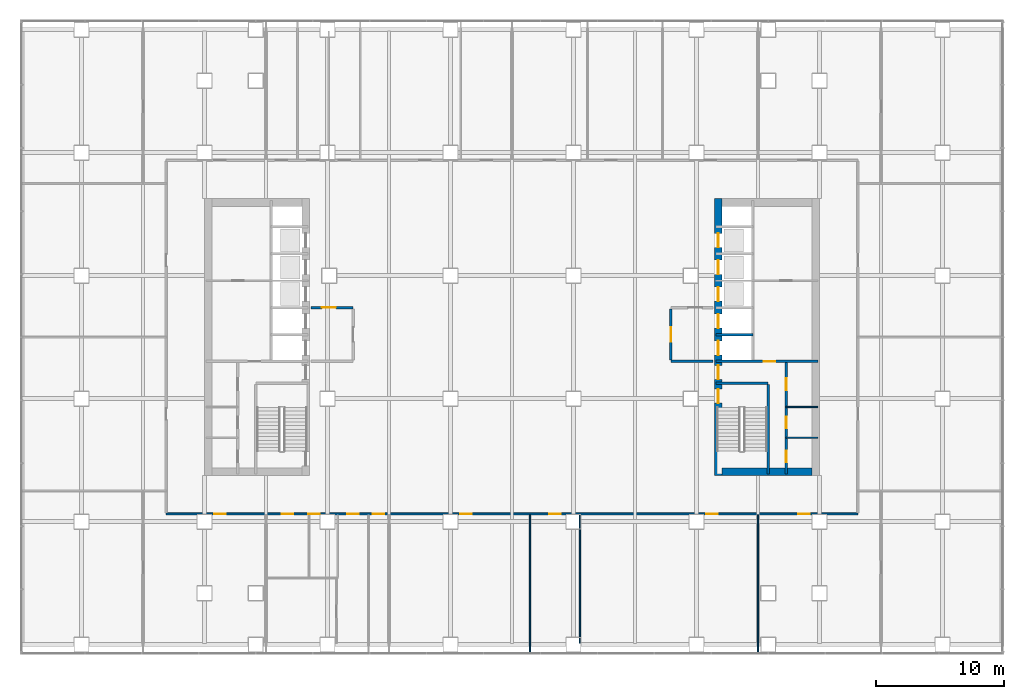
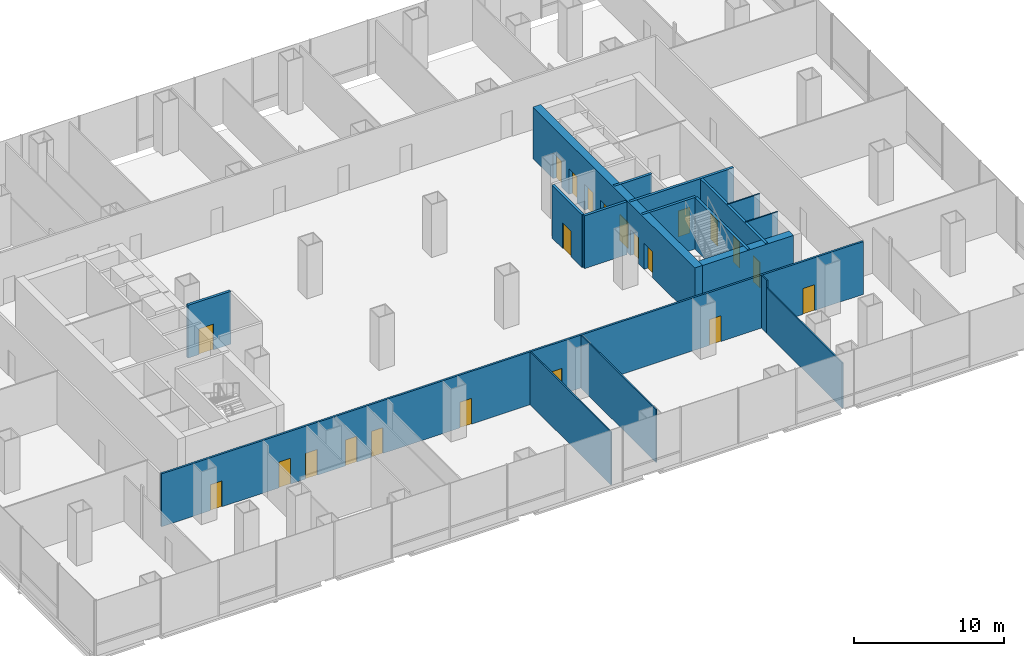
# One storey, part 17 of 23: 22 doors, 17 walls, 22 openings.
"""IFC4 building model written with IfcOpenShell, lengths in metres."""

import ifcopenshell
import ifcopenshell.guid

model = None  # the IFC model being written
_history = None  # IfcOwnerHistory: only IFC2X3 demands one
_inside = {}  # id of a spatial element -> (the spatial element, [elements in it])
_under = {}  # id of a project, library or spatial element -> (it, [spatial elements below it])
_declared = {}  # id of a project -> (the project, [libraries it declares])
_typed = {}  # id of a type object -> (the type object, [elements of that type])
_made_of = {}  # id of a material, layer set ... -> (it, [elements and type objects made of it])


def new_model(schema):
    """Start an empty IFC model of exactly this schema.

    Asked for "IFC4X3", IfcOpenShell would pick the latest addendum, in which some entities
    have other attributes; the version numbers below select the first issue.
    IFC2X3 requires an IfcOwnerHistory on every rooted entity: one is made here for all.
    """
    global model, _history
    if schema == "IFC4X3":
        model = ifcopenshell.file(schema_version=(4, 3, 0, 0))
    else:
        model = ifcopenshell.file(schema=schema)
    _inside.clear()
    _under.clear()
    _declared.clear()
    _typed.clear()
    _made_of.clear()
    _history = None
    if model.schema == "IFC2X3":
        org = make("IfcOrganization", Name="unknown")
        user = make(
            "IfcPersonAndOrganization",
            ThePerson=make("IfcPerson", FamilyName="unknown"),
            TheOrganization=org,
        )
        app = make(
            "IfcApplication",
            ApplicationDeveloper=org,
            Version="unknown",
            ApplicationFullName="unknown",
            ApplicationIdentifier="unknown",
        )
        _history = make(
            "IfcOwnerHistory",
            OwningUser=user,
            OwningApplication=app,
            ChangeAction="ADDED",
            CreationDate=0,
        )
    return model


def make(cls, **values):
    """One entity of the class cls with the attributes given. An attribute that is None is left unset."""
    return model.create_entity(
        cls, **{name: value for name, value in values.items() if value is not None}
    )


def rooted(cls, **values):
    """An entity with a GlobalId (a new one), such as an element, a storey or a relation."""
    return make(cls, GlobalId=ifcopenshell.guid.new(), OwnerHistory=_history, **values)


def si_unit(unit_type, name, prefix=None):
    """IfcSIUnit, for example si_unit("LENGTHUNIT", "METRE", prefix="MILLI")."""
    return make("IfcSIUnit", UnitType=unit_type, Prefix=prefix, Name=name)


def assignment(units):
    """IfcUnitAssignment: the units of a project."""
    return None if units is None else make("IfcUnitAssignment", Units=units)


def point(xyz):
    """IfcCartesianPoint."""
    return None if xyz is None else make("IfcCartesianPoint", Coordinates=xyz)


def direction(xyz):
    """IfcDirection."""
    return None if xyz is None else make("IfcDirection", DirectionRatios=xyz)


def frame(location, z_axis=None, x_axis=None):
    """IfcAxis2Placement3D, a coordinate frame: its origin and axes. An axis left out is left unset."""
    return make(
        "IfcAxis2Placement3D",
        Location=point(location),
        Axis=direction(z_axis),
        RefDirection=direction(x_axis),
    )


def frame_2d(location, x_axis=None):
    """IfcAxis2Placement2D, a coordinate frame in the plane: its origin and x axis."""
    return make(
        "IfcAxis2Placement2D", Location=point(location), RefDirection=direction(x_axis)
    )


def origin():
    """The frame at (0, 0, 0) with its axes left unset."""
    return frame((0.0, 0.0, 0.0))


def place(relative_to, where):
    """IfcLocalPlacement: puts the frame where relative to a parent placement (None: the world)."""
    return make(
        "IfcLocalPlacement", PlacementRelTo=relative_to, RelativePlacement=where
    )


def context(
    kind, dimensions, precision=None, world=None, true_north=None, identifier=None
):
    """IfcGeometricRepresentationContext, for example the 3D "Model" context."""
    return make(
        "IfcGeometricRepresentationContext",
        ContextIdentifier=identifier,
        ContextType=kind,
        CoordinateSpaceDimension=dimensions,
        Precision=precision,
        WorldCoordinateSystem=world,
        TrueNorth=true_north,
    )


def subcontext(parent, identifier, kind, view, scale=None):
    """IfcGeometricRepresentationSubContext, for example "Body" below "Model"."""
    return make(
        "IfcGeometricRepresentationSubContext",
        ContextIdentifier=identifier,
        ContextType=kind,
        ParentContext=parent,
        TargetScale=scale,
        TargetView=view,
    )


def project(units=None, contexts=None):
    """IfcProject with its units and contexts."""
    return rooted(
        "IfcProject",
        Name="project",
        RepresentationContexts=contexts,
        UnitsInContext=assignment(units),
    )


def spatial(cls, under=None, at=None, **own):
    """A site, building, storey or space (cls), placed at a placement, below another one or the project."""
    s = rooted(cls, ObjectPlacement=at, **own)
    if under is not None:
        _under.setdefault(under.id(), (under, []))[1].append(s)
    return s


def profile(cls, at=None, kind="AREA", **sizes):
    """A parametric profile (cls). Its sizes go by their IFC names, for example OverallWidth=200.0."""
    return make(cls, ProfileType=kind, Position=at, **sizes)


def rectangle(**sizes):
    """IfcRectangleProfileDef."""
    return profile("IfcRectangleProfileDef", **sizes)


def extrude(swept, where, along, depth):
    """IfcExtrudedAreaSolid: the profile swept, set in the frame where, extruded along a direction by depth."""
    return make(
        "IfcExtrudedAreaSolid",
        SweptArea=swept,
        Position=where,
        ExtrudedDirection=direction(along),
        Depth=depth,
    )


def shape(context_of_items, identifier, shape_type, items):
    """IfcShapeRepresentation: the items that make up one representation, for example the "Body"."""
    return make(
        "IfcShapeRepresentation",
        ContextOfItems=context_of_items,
        RepresentationIdentifier=identifier,
        RepresentationType=shape_type,
        Items=items,
    )


def material(Name=None, Category=None):
    """IfcMaterial."""
    return make("IfcMaterial", Name=Name, Category=Category)


def layer(
    of_material, thickness, ventilated=None, Name=None, Category=None, Priority=None
):
    """IfcMaterialLayer: one layer of a wall or slab, of a material (None: an air gap)."""
    return make(
        "IfcMaterialLayer",
        Material=of_material,
        LayerThickness=thickness,
        IsVentilated=ventilated,
        Name=Name,
        Category=Category,
        Priority=Priority,
    )


def layer_set(layers, Name=None):
    """IfcMaterialLayerSet."""
    return make("IfcMaterialLayerSet", MaterialLayers=layers, LayerSetName=Name)


def made_of(thing, what):
    """Note that an element or type object is made of a material, layer set ...; save() writes the relation."""
    if what is not None:
        _made_of.setdefault(what.id(), (what, []))[1].append(thing)
    return thing


def type_object(cls, material=None, **own):
    """A type object (cls), such as IfcWallType, which elements share."""
    return made_of(rooted(cls, **own), material)


def element(
    cls,
    number,
    at=None,
    inside=None,
    cuts=None,
    type_object=None,
    material=None,
    context=None,
    identifier="Body",
    shape_type=None,
    held_by="IfcProductDefinitionShape",
    body=None,
    shapes=None,
    **own,
):
    """One element of the class cls, such as IfcWall. Its Tag is "e" and its number.

    at: its placement. inside: the storey or other place that contains it. cuts: it is an
    opening in that element (IfcRelVoidsElement). A single representation is given by context,
    identifier, shape_type and body (its items); several are given by shapes. held_by: the class
    of the entity that holds the representations. save() writes the other relations.
    """
    e = rooted(cls, Tag="e%d" % number, ObjectPlacement=at, **own)
    if body is not None:
        shapes = [shape(context, identifier, shape_type, body)]
    if shapes is not None:
        e.Representation = make(held_by, Representations=shapes)
    if inside is not None:
        _inside.setdefault(inside.id(), (inside, []))[1].append(e)
    if cuts is not None:
        rooted(
            "IfcRelVoidsElement", RelatingBuildingElement=cuts, RelatedOpeningElement=e
        )
    if type_object is not None:
        _typed.setdefault(type_object.id(), (type_object, []))[1].append(e)
    return made_of(e, material)


def fill(opening, filler):
    """IfcRelFillsElement: the door or window that sits in an opening."""
    return rooted(
        "IfcRelFillsElement",
        RelatingOpeningElement=opening,
        RelatedBuildingElement=filler,
    )


def aggregate(whole, parts):
    """IfcRelAggregates: a whole, such as a stair, and the parts it consists of."""
    return rooted("IfcRelAggregates", RelatingObject=whole, RelatedObjects=parts)


def save(model, path):
    """Write the relations noted so far, then the file.

    IfcRelAggregates (storeys below a building ...), IfcRelContainedInSpatialStructure (elements
    in a storey), IfcRelDefinesByType, IfcRelAssociatesMaterial and IfcRelDeclares: one each for
    every whole, place, type object, material and project.
    """
    for whole, parts in _under.values():
        aggregate(whole, parts)
    for where, things in _inside.values():
        rooted(
            "IfcRelContainedInSpatialStructure",
            RelatedElements=things,
            RelatingStructure=where,
        )
    for kind, things in _typed.values():
        rooted("IfcRelDefinesByType", RelatedObjects=things, RelatingType=kind)
    for what, things in _made_of.values():
        rooted("IfcRelAssociatesMaterial", RelatedObjects=things, RelatingMaterial=what)
    for by, libraries in _declared.values():
        rooted("IfcRelDeclares", RelatingContext=by, RelatedDefinitions=libraries)
    model.write(path)


model = new_model("IFC4")

# Units and contexts
model_context = context("Model", 3, precision=1e-05, world=origin(), true_north=direction((0.0, 1.0)))
body_context = subcontext(model_context, "Body", "Model", "MODEL_VIEW")
ifc_project = project(units=[si_unit("LENGTHUNIT", "METRE"), si_unit("AREAUNIT", "SQUARE_METRE"), si_unit("VOLUMEUNIT", "CUBIC_METRE"), si_unit("PLANEANGLEUNIT", "RADIAN"), si_unit("MASSUNIT", "GRAM", prefix="KILO")], contexts=[model_context])

# Site, building, storey
site_placement = place(None, origin())
site = spatial("IfcSite", under=ifc_project, at=site_placement, CompositionType="ELEMENT")
building_placement = place(site_placement, origin())
building = spatial("IfcBuilding", under=site, at=building_placement, Name="Cobrizo Arcos Hotel Tower", CompositionType="ELEMENT")
storey_placement = place(building_placement, frame((0.0, 0.0, 20.0)))
storey = spatial("IfcBuildingStorey", under=building, at=storey_placement, Name="L03", CompositionType="ELEMENT", Elevation=20.0)

# Wall, openings, doors
ifc_material_1 = material(Name="Gypsum board partition")
ifc_layer_1 = layer(ifc_material_1, 0.14990234375)
ifc_layer_set_1 = layer_set([ifc_layer_1], Name="Corridor wall EI 60 150")
wall_type_1 = type_object("IfcWallType", Name="Corridor wall EI 60 150", PredefinedType="PARTITIONING", material=ifc_layer_set_1)
wall_1_placement = place(storey_placement, frame((-27.0, -13.800048828125, 0.0), z_axis=(0.0, 0.0, 1.0), x_axis=(1.0, 0.0, 0.0)))
wall_1 = element("IfcWall", 1, at=wall_1_placement, inside=storey, type_object=wall_type_1, Name="Partition 002", PredefinedType="PARTITIONING", context=body_context, shape_type="SweptSolid", body=[
    extrude(rectangle(XDim=54.0, YDim=0.14990234375, at=frame_2d((27.0, 0.0))), origin(), (0.0, 0.0, 1.0), 4.300048828125),
])
opening_1_placement = place(wall_1_placement, frame((9.030029296875, 0.0, 0.0)))
opening_1 = element("IfcOpeningElement", 2, at=opening_1_placement, cuts=wall_1, Name="Opening ED-01", PredefinedType="OPENING", context=body_context, shape_type="SweptSolid", body=[
    extrude(rectangle(XDim=0.89990234375, YDim=2.10009765625, at=frame_2d((0.449951171875, 1.050048828125))), frame((0.0, 0.0869140625, 0.0), z_axis=(0.0, -1.0, 0.0), x_axis=(1.0, 0.0, 0.0)), (0.0, 0.0, 1.0), 0.173828125),
])
opening_2_placement = place(wall_1_placement, frame((11.080078125, 0.0, 0.0)))
opening_2 = element("IfcOpeningElement", 3, at=opening_2_placement, cuts=wall_1, Name="Opening ED-02", PredefinedType="OPENING", context=body_context, shape_type="SweptSolid", body=[
    extrude(rectangle(XDim=0.89990234375, YDim=2.10009765625, at=frame_2d((0.449951171875, 1.050048828125))), frame((0.0, 0.0869140625, 0.0), z_axis=(0.0, -1.0, 0.0), x_axis=(1.0, 0.0, 0.0)), (0.0, 0.0, 1.0), 0.173828125),
])
opening_3_placement = place(wall_1_placement, frame((14.137939453125, 0.0, 0.0)))
opening_3 = element("IfcOpeningElement", 4, at=opening_3_placement, cuts=wall_1, Name="Opening RD-11", PredefinedType="OPENING", context=body_context, shape_type="SweptSolid", body=[
    extrude(rectangle(XDim=0.89990234375, YDim=2.10009765625, at=frame_2d((0.449951171875, 1.050048828125))), frame((0.0, 0.0869140625, 0.0), z_axis=(0.0, -1.0, 0.0), x_axis=(1.0, 0.0, 0.0)), (0.0, 0.0, 1.0), 0.173828125),
])
opening_4_placement = place(wall_1_placement, frame((22.949951171875, 0.0, 0.0)))
opening_4 = element("IfcOpeningElement", 5, at=opening_4_placement, cuts=wall_1, Name="Opening RD-19", PredefinedType="OPENING", context=body_context, shape_type="SweptSolid", body=[
    extrude(rectangle(XDim=0.89990234375, YDim=2.10009765625, at=frame_2d((0.449951171875, 1.050048828125))), frame((0.0, 0.0869140625, 0.0), z_axis=(0.0, -1.0, 0.0), x_axis=(1.0, 0.0, 0.0)), (0.0, 0.0, 1.0), 0.173828125),
])
opening_5_placement = place(wall_1_placement, frame((29.89111328125, 0.0, 0.0)))
opening_5 = element("IfcOpeningElement", 6, at=opening_5_placement, cuts=wall_1, Name="Opening RD-21", PredefinedType="OPENING", context=body_context, shape_type="SweptSolid", body=[
    extrude(rectangle(XDim=0.89990234375, YDim=2.10009765625, at=frame_2d((0.449951171875, 1.050048828125))), frame((0.0, 0.0869140625, 0.0), z_axis=(0.0, -1.0, 0.0), x_axis=(1.0, 0.0, 0.0)), (0.0, 0.0, 1.0), 0.173828125),
])
opening_6_placement = place(wall_1_placement, frame((3.75, 0.0, 0.0)))
opening_6 = element("IfcOpeningElement", 7, at=opening_6_placement, cuts=wall_1, Name="Opening RD-22", PredefinedType="OPENING", context=body_context, shape_type="SweptSolid", body=[
    extrude(rectangle(XDim=0.89990234375, YDim=2.10009765625, at=frame_2d((0.449951171875, 1.050048828125))), frame((0.0, 0.0869140625, 0.0), z_axis=(0.0, -1.0, 0.0), x_axis=(1.0, 0.0, 0.0)), (0.0, 0.0, 1.0), 0.173828125),
])
opening_7_placement = place(wall_1_placement, frame((49.35009765625, 0.0, 0.0)))
opening_7 = element("IfcOpeningElement", 8, at=opening_7_placement, cuts=wall_1, Name="Opening RD-26", PredefinedType="OPENING", context=body_context, shape_type="SweptSolid", body=[
    extrude(rectangle(XDim=0.89990234375, YDim=2.10009765625, at=frame_2d((0.449951171875, 1.050048828125))), frame((0.0, 0.0869140625, 0.0), z_axis=(0.0, -1.0, 0.0), x_axis=(1.0, 0.0, 0.0)), (0.0, 0.0, 1.0), 0.173828125),
])
opening_8_placement = place(wall_1_placement, frame((42.14990234375, 0.0, 0.0)))
opening_8 = element("IfcOpeningElement", 9, at=opening_8_placement, cuts=wall_1, Name="Opening RD-30", PredefinedType="OPENING", context=body_context, shape_type="SweptSolid", body=[
    extrude(rectangle(XDim=0.89990234375, YDim=2.10009765625, at=frame_2d((0.449951171875, 1.050048828125))), frame((0.0, 0.0869140625, 0.0), z_axis=(0.0, -1.0, 0.0), x_axis=(1.0, 0.0, 0.0)), (0.0, 0.0, 1.0), 0.173828125),
])
opening_9_placement = place(wall_1_placement, frame((16.136962890625, 0.0, 0.0)))
opening_9 = element("IfcOpeningElement", 10, at=opening_9_placement, cuts=wall_1, Name="Opening RD-36", PredefinedType="OPENING", context=body_context, shape_type="SweptSolid", body=[
    extrude(rectangle(XDim=0.89990234375, YDim=2.10009765625, at=frame_2d((0.449951171875, 1.050048828125))), frame((0.0, 0.0869140625, 0.0), z_axis=(0.0, -1.0, 0.0), x_axis=(1.0, 0.0, 0.0)), (0.0, 0.0, 1.0), 0.173828125),
])
ifc_material_2 = material(Name="Timber door leaf", Category="wood")
door_type_1 = type_object("IfcDoorType", Name="En-suite door 900x2100", OperationType="SINGLE_SWING_LEFT", PredefinedType="DOOR", material=ifc_material_2)
door_1_placement = place(opening_1_placement, origin())
door_1 = element("IfcDoor", 11, at=door_1_placement, inside=storey, type_object=door_type_1, Name="Door ED-01", OperationType="SINGLE_SWING_RIGHT", OverallHeight=2.10009765625, OverallWidth=0.89990234375, PredefinedType="DOOR", context=body_context, shape_type="SweptSolid", body=[
    extrude(rectangle(XDim=0.89990234375, YDim=2.10009765625, at=frame_2d((0.449951171875, 1.050048828125))), frame((0.0, 0.02490234375, 0.0), z_axis=(0.0, -1.0, 0.0), x_axis=(1.0, 0.0, 0.0)), (0.0, 0.0, 1.0), 0.050048828125),
])
fill(opening_1, door_1)
door_2_placement = place(opening_2_placement, origin())
door_2 = element("IfcDoor", 12, at=door_2_placement, inside=storey, type_object=door_type_1, Name="Door ED-02", OperationType="SINGLE_SWING_LEFT", OverallHeight=2.10009765625, OverallWidth=0.89990234375, PredefinedType="DOOR", context=body_context, shape_type="SweptSolid", body=[
    extrude(rectangle(XDim=0.89990234375, YDim=2.10009765625, at=frame_2d((0.449951171875, 1.050048828125))), frame((0.0, 0.02490234375, 0.0), z_axis=(0.0, -1.0, 0.0), x_axis=(1.0, 0.0, 0.0)), (0.0, 0.0, 1.0), 0.050048828125),
])
fill(opening_2, door_2)
door_type_2 = type_object("IfcDoorType", Name="Room door FD30 900x2100", OperationType="SINGLE_SWING_LEFT", PredefinedType="DOOR", material=ifc_material_2)
door_3_placement = place(opening_3_placement, origin())
door_3 = element("IfcDoor", 13, at=door_3_placement, inside=storey, type_object=door_type_2, Name="Door RD-11", OperationType="SINGLE_SWING_RIGHT", OverallHeight=2.10009765625, OverallWidth=0.89990234375, PredefinedType="DOOR", context=body_context, shape_type="SweptSolid", body=[
    extrude(rectangle(XDim=0.89990234375, YDim=2.10009765625, at=frame_2d((0.449951171875, 1.050048828125))), frame((0.0, 0.02490234375, 0.0), z_axis=(0.0, -1.0, 0.0), x_axis=(1.0, 0.0, 0.0)), (0.0, 0.0, 1.0), 0.050048828125),
])
fill(opening_3, door_3)
door_4_placement = place(opening_4_placement, origin())
door_4 = element("IfcDoor", 14, at=door_4_placement, inside=storey, type_object=door_type_2, Name="Door RD-19", OperationType="SINGLE_SWING_LEFT", OverallHeight=2.10009765625, OverallWidth=0.89990234375, PredefinedType="DOOR", context=body_context, shape_type="SweptSolid", body=[
    extrude(rectangle(XDim=0.89990234375, YDim=2.10009765625, at=frame_2d((0.449951171875, 1.050048828125))), frame((0.0, 0.02490234375, 0.0), z_axis=(0.0, -1.0, 0.0), x_axis=(1.0, 0.0, 0.0)), (0.0, 0.0, 1.0), 0.050048828125),
])
fill(opening_4, door_4)
door_5_placement = place(opening_5_placement, origin())
door_5 = element("IfcDoor", 15, at=door_5_placement, inside=storey, type_object=door_type_2, Name="Door RD-21", OperationType="SINGLE_SWING_RIGHT", OverallHeight=2.10009765625, OverallWidth=0.89990234375, PredefinedType="DOOR", context=body_context, shape_type="SweptSolid", body=[
    extrude(rectangle(XDim=0.89990234375, YDim=2.10009765625, at=frame_2d((0.449951171875, 1.050048828125))), frame((0.0, 0.02490234375, 0.0), z_axis=(0.0, -1.0, 0.0), x_axis=(1.0, 0.0, 0.0)), (0.0, 0.0, 1.0), 0.050048828125),
])
fill(opening_5, door_5)
door_6_placement = place(opening_6_placement, origin())
door_6 = element("IfcDoor", 16, at=door_6_placement, inside=storey, type_object=door_type_2, Name="Door RD-22", OperationType="SINGLE_SWING_LEFT", OverallHeight=2.10009765625, OverallWidth=0.89990234375, PredefinedType="DOOR", context=body_context, shape_type="SweptSolid", body=[
    extrude(rectangle(XDim=0.89990234375, YDim=2.10009765625, at=frame_2d((0.449951171875, 1.050048828125))), frame((0.0, 0.02490234375, 0.0), z_axis=(0.0, -1.0, 0.0), x_axis=(1.0, 0.0, 0.0)), (0.0, 0.0, 1.0), 0.050048828125),
])
fill(opening_6, door_6)
door_7_placement = place(opening_7_placement, origin())
door_7 = element("IfcDoor", 17, at=door_7_placement, inside=storey, type_object=door_type_2, Name="Door RD-26", OperationType="SINGLE_SWING_LEFT", OverallHeight=2.10009765625, OverallWidth=0.89990234375, PredefinedType="DOOR", context=body_context, shape_type="SweptSolid", body=[
    extrude(rectangle(XDim=0.89990234375, YDim=2.10009765625, at=frame_2d((0.449951171875, 1.050048828125))), frame((0.0, 0.02490234375, 0.0), z_axis=(0.0, -1.0, 0.0), x_axis=(1.0, 0.0, 0.0)), (0.0, 0.0, 1.0), 0.050048828125),
])
fill(opening_7, door_7)
door_8_placement = place(opening_8_placement, origin())
door_8 = element("IfcDoor", 18, at=door_8_placement, inside=storey, type_object=door_type_2, Name="Door RD-30", OperationType="SINGLE_SWING_LEFT", OverallHeight=2.10009765625, OverallWidth=0.89990234375, PredefinedType="DOOR", context=body_context, shape_type="SweptSolid", body=[
    extrude(rectangle(XDim=0.89990234375, YDim=2.10009765625, at=frame_2d((0.449951171875, 1.050048828125))), frame((0.0, 0.02490234375, 0.0), z_axis=(0.0, -1.0, 0.0), x_axis=(1.0, 0.0, 0.0)), (0.0, 0.0, 1.0), 0.050048828125),
])
fill(opening_8, door_8)
door_9_placement = place(opening_9_placement, origin())
door_9 = element("IfcDoor", 19, at=door_9_placement, inside=storey, type_object=door_type_2, Name="Door RD-36", OperationType="SINGLE_SWING_RIGHT", OverallHeight=2.10009765625, OverallWidth=0.89990234375, PredefinedType="DOOR", context=body_context, shape_type="SweptSolid", body=[
    extrude(rectangle(XDim=0.89990234375, YDim=2.10009765625, at=frame_2d((0.449951171875, 1.050048828125))), frame((0.0, 0.02490234375, 0.0), z_axis=(0.0, -1.0, 0.0), x_axis=(1.0, 0.0, 0.0)), (0.0, 0.0, 1.0), 0.050048828125),
])
fill(opening_9, door_9)

# Walls
ifc_layer_2 = layer(ifc_material_1, 0.10009765625)
ifc_layer_set_2 = layer_set([ifc_layer_2], Name="Partition EI 30 100")
wall_type_2 = type_object("IfcWallType", Name="Partition EI 30 100", PredefinedType="PARTITIONING", material=ifc_layer_set_2)
for number, where, z_axis, x_axis, name in (
    (20, (21.39990234375, -7.85009765625, 0.0), (0.0, 0.0, 1.0), (1.0, 0.0, 0.0), "Partition 006"),
    (21, (21.39990234375, -5.449951171875, 0.0), (0.0, 0.0, 1.0), (1.0, 0.0, 0.0), "Partition 008"),
):
    element("IfcWall", number, at=place(storey_placement, frame(where, z_axis=z_axis, x_axis=x_axis)), inside=storey, type_object=wall_type_2, Name=name, PredefinedType="PARTITIONING", context=body_context, shape_type="SweptSolid", body=[
        extrude(rectangle(XDim=2.47998046875, YDim=0.10009765625, at=frame_2d((1.239990234375, 0.0))), origin(), (0.0, 0.0, 1.0), 4.199951171875),
    ])
wall_2_placement = place(storey_placement, frame((1.39990234375, -24.6298828125, 0.0), z_axis=(0.0, 0.0, 1.0), x_axis=(0.0, 1.0, 0.0)))
element("IfcWall", 22, at=wall_2_placement, inside=storey, type_object=wall_type_2, Name="Partition 062", PredefinedType="PARTITIONING", context=body_context, shape_type="SweptSolid", body=[
    extrude(rectangle(XDim=10.7548828125, YDim=0.10009765625, at=frame_2d((5.37744140625, 0.0))), origin(), (0.0, 0.0, 1.0), 4.300048828125),
])
wall_3_placement = place(storey_placement, frame((5.300048828125, -23.8798828125, 0.0), z_axis=(0.0, 0.0, 1.0), x_axis=(0.0, 1.0, 0.0)))
element("IfcWall", 23, at=wall_3_placement, inside=storey, type_object=wall_type_2, Name="Partition 063", PredefinedType="PARTITIONING", context=body_context, shape_type="SweptSolid", body=[
    extrude(rectangle(XDim=10.0048828125, YDim=0.10009765625, at=frame_2d((5.00244140625, 0.0))), origin(), (0.0, 0.0, 1.0), 4.300048828125),
])
wall_4_placement = place(storey_placement, frame((19.199951171875, -24.6298828125, 0.0), z_axis=(0.0, 0.0, 1.0), x_axis=(0.0, 1.0, 0.0)))
element("IfcWall", 24, at=wall_4_placement, inside=storey, type_object=wall_type_2, Name="Partition 069", PredefinedType="PARTITIONING", context=body_context, shape_type="SweptSolid", body=[
    extrude(rectangle(XDim=10.076171875, YDim=0.10009765625, at=frame_2d((5.0380859375, 0.0))), origin(), (0.0, 0.0, 1.0), 3.68310546875),
])
wall_5_placement = place(storey_placement, frame((19.199951171875, -14.553955078125, 0.0), z_axis=(0.0, 0.0, 1.0), x_axis=(0.0, 1.0, 0.0)))
element("IfcWall", 25, at=wall_5_placement, inside=storey, type_object=wall_type_2, Name="Partition 070", PredefinedType="PARTITIONING", context=body_context, shape_type="SweptSolid", body=[
    extrude(rectangle(XDim=0.678955078125, YDim=0.10009765625, at=frame_2d((0.33935546875, 0.0))), origin(), (0.0, 0.0, 1.0), 4.300048828125),
])

# Wall, openings, doors
ifc_material_3 = material(Name="Concrete f'c 60 MPa", Category="concrete")
ifc_layer_3 = layer(ifc_material_3, 0.60009765625)
ifc_layer_set_3 = layer_set([ifc_layer_3], Name="RC core wall 600 f'c 60")
wall_type_3 = type_object("IfcWallType", Name="RC core wall 600 f'c 60", PredefinedType="SHEAR", material=ifc_layer_set_3)
wall_6_placement = place(storey_placement, frame((16.10009765625, -10.800048828125, 0.0), z_axis=(0.0, 0.0, 1.0), x_axis=(0.0, 1.0, 0.0)))
wall_6 = element("IfcWall", 26, at=wall_6_placement, inside=storey, type_object=wall_type_3, Name="Core wall CW1, east core, inner face, L03", PredefinedType="SHEAR", context=body_context, shape_type="SweptSolid", body=[
    extrude(rectangle(XDim=21.60009765625, YDim=0.60009765625, at=frame_2d((10.800048828125, 0.0))), origin(), (0.0, 0.0, 1.0), 4.199951171875),
])
opening_10_placement = place(wall_6_placement, frame((9.39990234375, 0.0, 0.0)))
opening_10 = element("IfcOpeningElement", 27, at=opening_10_placement, cuts=wall_6, Name="Opening LD-06", PredefinedType="OPENING", context=body_context, shape_type="SweptSolid", body=[
    extrude(rectangle(XDim=1.10009765625, YDim=2.10009765625, at=frame_2d((0.550048828125, 1.050048828125))), frame((0.0, 0.31201171875, 0.0), z_axis=(0.0, -1.0, 0.0), x_axis=(1.0, 0.0, 0.0)), (0.0, 0.0, 1.0), 0.6240234375),
])
opening_11_placement = place(wall_6_placement, frame((11.5, 0.0, 0.0)))
opening_11 = element("IfcOpeningElement", 28, at=opening_11_placement, cuts=wall_6, Name="Opening LD-07", PredefinedType="OPENING", context=body_context, shape_type="SweptSolid", body=[
    extrude(rectangle(XDim=1.10009765625, YDim=2.10009765625, at=frame_2d((0.550048828125, 1.050048828125))), frame((0.0, 0.31201171875, 0.0), z_axis=(0.0, -1.0, 0.0), x_axis=(1.0, 0.0, 0.0)), (0.0, 0.0, 1.0), 0.6240234375),
])
opening_12_placement = place(wall_6_placement, frame((13.60009765625, 0.0, 0.0)))
opening_12 = element("IfcOpeningElement", 29, at=opening_12_placement, cuts=wall_6, Name="Opening LD-08", PredefinedType="OPENING", context=body_context, shape_type="SweptSolid", body=[
    extrude(rectangle(XDim=1.10009765625, YDim=2.10009765625, at=frame_2d((0.550048828125, 1.050048828125))), frame((0.0, 0.31201171875, 0.0), z_axis=(0.0, -1.0, 0.0), x_axis=(1.0, 0.0, 0.0)), (0.0, 0.0, 1.0), 0.6240234375),
])
opening_13_placement = place(wall_6_placement, frame((15.699951171875, 0.0, 0.0)))
opening_13 = element("IfcOpeningElement", 30, at=opening_13_placement, cuts=wall_6, Name="Opening LD-09", PredefinedType="OPENING", context=body_context, shape_type="SweptSolid", body=[
    extrude(rectangle(XDim=1.10009765625, YDim=2.10009765625, at=frame_2d((0.550048828125, 1.050048828125))), frame((0.0, 0.31201171875, 0.0), z_axis=(0.0, -1.0, 0.0), x_axis=(1.0, 0.0, 0.0)), (0.0, 0.0, 1.0), 0.6240234375),
])
opening_14_placement = place(wall_6_placement, frame((17.800048828125, 0.0, 0.0)))
opening_14 = element("IfcOpeningElement", 31, at=opening_14_placement, cuts=wall_6, Name="Opening LD-10", PredefinedType="OPENING", context=body_context, shape_type="SweptSolid", body=[
    extrude(rectangle(XDim=1.10009765625, YDim=2.10009765625, at=frame_2d((0.550048828125, 1.050048828125))), frame((0.0, 0.31201171875, 0.0), z_axis=(0.0, -1.0, 0.0), x_axis=(1.0, 0.0, 0.0)), (0.0, 0.0, 1.0), 0.6240234375),
])
opening_15_placement = place(wall_6_placement, frame((5.64208984375, 0.0, 0.0)))
opening_15 = element("IfcOpeningElement", 32, at=opening_15_placement, cuts=wall_6, Name="Opening SD-02", PredefinedType="OPENING", context=body_context, shape_type="SweptSolid", body=[
    extrude(rectangle(XDim=1.10009765625, YDim=2.10009765625, at=frame_2d((0.550048828125, 1.050048828125))), frame((0.0, 0.31201171875, 0.0), z_axis=(0.0, -1.0, 0.0), x_axis=(1.0, 0.0, 0.0)), (0.0, 0.0, 1.0), 0.6240234375),
])
opening_16_placement = place(wall_6_placement, frame((7.5, 0.0, 0.0)))
opening_16 = element("IfcOpeningElement", 33, at=opening_16_placement, cuts=wall_6, Name="Opening FD-04", PredefinedType="OPENING", context=body_context, shape_type="SweptSolid", body=[
    extrude(rectangle(XDim=1.10009765625, YDim=2.10009765625, at=frame_2d((0.550048828125, 1.050048828125))), frame((0.0, 0.31201171875, 0.0), z_axis=(0.0, -1.0, 0.0), x_axis=(1.0, 0.0, 0.0)), (0.0, 0.0, 1.0), 0.6240234375),
])
ifc_material_4 = material(Name="Steel door leaf", Category="steel")
door_type_3 = type_object("IfcDoorType", Name="Fire door FD60 1100x2100", OperationType="SINGLE_SWING_LEFT", PredefinedType="DOOR", material=ifc_material_4)
door_10_placement = place(opening_16_placement, origin())
door_10 = element("IfcDoor", 34, at=door_10_placement, inside=storey, type_object=door_type_3, Name="Door FD-04", OperationType="SINGLE_SWING_LEFT", OverallHeight=2.10009765625, OverallWidth=1.10009765625, PredefinedType="DOOR", context=body_context, shape_type="SweptSolid", body=[
    extrude(rectangle(XDim=1.10009765625, YDim=2.10009765625, at=frame_2d((0.550048828125, 1.050048828125))), frame((0.0, 0.02490234375, 0.0), z_axis=(0.0, -1.0, 0.0), x_axis=(1.0, 0.0, 0.0)), (0.0, 0.0, 1.0), 0.050048828125),
])
fill(opening_16, door_10)
door_type_4 = type_object("IfcDoorType", Name="Lift landing door 1100x2100", OperationType="SLIDING_TO_LEFT", PredefinedType="DOOR", material=ifc_material_4)
door_11_placement = place(opening_10_placement, origin())
door_11 = element("IfcDoor", 35, at=door_11_placement, inside=storey, type_object=door_type_4, Name="Lift landing door LD-06", OperationType="SLIDING_TO_LEFT", OverallHeight=2.10009765625, OverallWidth=1.10009765625, PredefinedType="DOOR", context=body_context, shape_type="SweptSolid", body=[
    extrude(rectangle(XDim=1.10009765625, YDim=2.10009765625, at=frame_2d((0.550048828125, 1.050048828125))), frame((0.0, 0.02490234375, 0.0), z_axis=(0.0, -1.0, 0.0), x_axis=(1.0, 0.0, 0.0)), (0.0, 0.0, 1.0), 0.050048828125),
])
fill(opening_10, door_11)
door_12_placement = place(opening_11_placement, origin())
door_12 = element("IfcDoor", 36, at=door_12_placement, inside=storey, type_object=door_type_4, Name="Lift landing door LD-07", OperationType="SLIDING_TO_LEFT", OverallHeight=2.10009765625, OverallWidth=1.10009765625, PredefinedType="DOOR", context=body_context, shape_type="SweptSolid", body=[
    extrude(rectangle(XDim=1.10009765625, YDim=2.10009765625, at=frame_2d((0.550048828125, 1.050048828125))), frame((0.0, 0.02490234375, 0.0), z_axis=(0.0, -1.0, 0.0), x_axis=(1.0, 0.0, 0.0)), (0.0, 0.0, 1.0), 0.050048828125),
])
fill(opening_11, door_12)
door_13_placement = place(opening_12_placement, origin())
door_13 = element("IfcDoor", 37, at=door_13_placement, inside=storey, type_object=door_type_4, Name="Lift landing door LD-08", OperationType="SLIDING_TO_LEFT", OverallHeight=2.10009765625, OverallWidth=1.10009765625, PredefinedType="DOOR", context=body_context, shape_type="SweptSolid", body=[
    extrude(rectangle(XDim=1.10009765625, YDim=2.10009765625, at=frame_2d((0.550048828125, 1.050048828125))), frame((0.0, 0.02490234375, 0.0), z_axis=(0.0, -1.0, 0.0), x_axis=(1.0, 0.0, 0.0)), (0.0, 0.0, 1.0), 0.050048828125),
])
fill(opening_12, door_13)
door_14_placement = place(opening_13_placement, origin())
door_14 = element("IfcDoor", 38, at=door_14_placement, inside=storey, type_object=door_type_4, Name="Lift landing door LD-09", OperationType="SLIDING_TO_LEFT", OverallHeight=2.10009765625, OverallWidth=1.10009765625, PredefinedType="DOOR", context=body_context, shape_type="SweptSolid", body=[
    extrude(rectangle(XDim=1.10009765625, YDim=2.10009765625, at=frame_2d((0.550048828125, 1.050048828125))), frame((0.0, 0.02490234375, 0.0), z_axis=(0.0, -1.0, 0.0), x_axis=(1.0, 0.0, 0.0)), (0.0, 0.0, 1.0), 0.050048828125),
])
fill(opening_13, door_14)
door_15_placement = place(opening_14_placement, origin())
door_15 = element("IfcDoor", 39, at=door_15_placement, inside=storey, type_object=door_type_4, Name="Lift landing door LD-10", OperationType="SLIDING_TO_LEFT", OverallHeight=2.10009765625, OverallWidth=1.10009765625, PredefinedType="DOOR", context=body_context, shape_type="SweptSolid", body=[
    extrude(rectangle(XDim=1.10009765625, YDim=2.10009765625, at=frame_2d((0.550048828125, 1.050048828125))), frame((0.0, 0.02490234375, 0.0), z_axis=(0.0, -1.0, 0.0), x_axis=(1.0, 0.0, 0.0)), (0.0, 0.0, 1.0), 0.050048828125),
])
fill(opening_14, door_15)
door_type_5 = type_object("IfcDoorType", Name="Stair door FD60S 1100x2100", OperationType="SINGLE_SWING_LEFT", PredefinedType="DOOR", material=ifc_material_4)
door_16_placement = place(opening_15_placement, origin())
door_16 = element("IfcDoor", 40, at=door_16_placement, inside=storey, type_object=door_type_5, Name="Door SD-02", OperationType="SINGLE_SWING_RIGHT", OverallHeight=2.10009765625, OverallWidth=1.10009765625, PredefinedType="DOOR", context=body_context, shape_type="SweptSolid", body=[
    extrude(rectangle(XDim=1.10009765625, YDim=2.10009765625, at=frame_2d((0.550048828125, 1.050048828125))), frame((0.0, 0.02490234375, 0.0), z_axis=(0.0, -1.0, 0.0), x_axis=(1.0, 0.0, 0.0)), (0.0, 0.0, 1.0), 0.050048828125),
])
fill(opening_15, door_16)

# Walls
wall_7_placement = place(storey_placement, frame((16.39990234375, -10.5, 0.0), z_axis=(0.0, 0.0, 1.0), x_axis=(1.0, 0.0, 0.0)))
element("IfcWall", 41, at=wall_7_placement, inside=storey, type_object=wall_type_3, Name="Core wall CW1, east core, south end, L03", PredefinedType="SHEAR", context=body_context, shape_type="SweptSolid", body=[
    extrude(rectangle(XDim=7.0, YDim=0.60009765625, at=frame_2d((3.5, 0.0))), origin(), (0.0, 0.0, 1.0), 4.199951171875),
])
ifc_layer_4 = layer(ifc_material_1, 0.199951171875)
ifc_layer_set_4 = layer_set([ifc_layer_4], Name="Shaft wall EI 120 200")
wall_type_4 = type_object("IfcWallType", Name="Shaft wall EI 120 200", PredefinedType="PARTITIONING", material=ifc_layer_set_4)
wall_8_placement = place(storey_placement, frame((12.39990234375, -1.89990234375, 0.0), z_axis=(0.0, 0.0, 1.0), x_axis=(1.0, 0.0, 0.0)))
element("IfcWall", 42, at=wall_8_placement, inside=storey, type_object=wall_type_4, Name="Partition 013", PredefinedType="PARTITIONING", context=body_context, shape_type="SweptSolid", body=[
    extrude(rectangle(XDim=3.280029296875, YDim=0.199951171875, at=frame_2d((1.64013671875, 0.0))), origin(), (0.0, 0.0, 1.0), 4.300048828125),
])

# Wall, opening, door
wall_9_placement = place(storey_placement, frame((15.919921875, -1.89990234375, 0.0), z_axis=(0.0, 0.0, 1.0), x_axis=(1.0, 0.0, 0.0)))
wall_9 = element("IfcWall", 43, at=wall_9_placement, inside=storey, type_object=wall_type_4, Name="Partition 014", PredefinedType="PARTITIONING", context=body_context, shape_type="SweptSolid", body=[
    extrude(rectangle(XDim=7.9599609375, YDim=0.199951171875, at=frame_2d((3.97998046875, 0.0))), origin(), (0.0, 0.0, 1.0), 4.199951171875),
])
opening_17_placement = place(wall_9_placement, frame((3.739990234375, 0.0, 0.0)))
opening_17 = element("IfcOpeningElement", 44, at=opening_17_placement, cuts=wall_9, Name="Opening RD-09", PredefinedType="OPENING", context=body_context, shape_type="SweptSolid", body=[
    extrude(rectangle(XDim=0.89990234375, YDim=2.10009765625, at=frame_2d((0.449951171875, 1.050048828125))), frame((0.0, 0.112060546875, 0.0), z_axis=(0.0, -1.0, 0.0), x_axis=(1.0, 0.0, 0.0)), (0.0, 0.0, 1.0), 0.223876953125),
])
door_17_placement = place(opening_17_placement, origin())
door_17 = element("IfcDoor", 45, at=door_17_placement, inside=storey, type_object=door_type_2, Name="Door RD-09", OperationType="SINGLE_SWING_LEFT", OverallHeight=2.10009765625, OverallWidth=0.89990234375, PredefinedType="DOOR", context=body_context, shape_type="SweptSolid", body=[
    extrude(rectangle(XDim=0.89990234375, YDim=2.10009765625, at=frame_2d((0.449951171875, 1.050048828125))), frame((0.0, 0.02490234375, 0.0), z_axis=(0.0, -1.0, 0.0), x_axis=(1.0, 0.0, 0.0)), (0.0, 0.0, 1.0), 0.050048828125),
])
fill(opening_17, door_17)

# Wall
wall_10_placement = place(storey_placement, frame((15.919921875, 0.199951171875, 0.0), z_axis=(0.0, 0.0, 1.0), x_axis=(1.0, 0.0, 0.0)))
element("IfcWall", 46, at=wall_10_placement, inside=storey, type_object=wall_type_4, Name="Partition 018", PredefinedType="PARTITIONING", context=body_context, shape_type="SweptSolid", body=[
    extrude(rectangle(XDim=2.880126953125, YDim=0.199951171875, at=frame_2d((1.43994140625, 0.0))), origin(), (0.0, 0.0, 1.0), 4.199951171875),
])

# Wall, opening, door
wall_11_placement = place(storey_placement, frame((-15.679931640625, 2.300048828125, 0.0), z_axis=(0.0, 0.0, 1.0), x_axis=(1.0, 0.0, 0.0)))
wall_11 = element("IfcWall", 47, at=wall_11_placement, inside=storey, type_object=wall_type_4, Name="Partition 020", PredefinedType="PARTITIONING", context=body_context, shape_type="SweptSolid", body=[
    extrude(rectangle(XDim=3.280029296875, YDim=0.199951171875, at=frame_2d((1.64013671875, 0.0))), origin(), (0.0, 0.0, 1.0), 4.300048828125),
])
opening_18_placement = place(wall_11_placement, frame((0.840087890625, 0.0, 0.0)))
opening_18 = element("IfcOpeningElement", 48, at=opening_18_placement, cuts=wall_11, Name="Opening FD-03", PredefinedType="OPENING", context=body_context, shape_type="SweptSolid", body=[
    extrude(rectangle(XDim=1.10009765625, YDim=2.10009765625, at=frame_2d((0.550048828125, 1.050048828125))), frame((0.0, 0.112060546875, 0.0), z_axis=(0.0, -1.0, 0.0), x_axis=(1.0, 0.0, 0.0)), (0.0, 0.0, 1.0), 0.223876953125),
])
door_18_placement = place(opening_18_placement, origin())
door_18 = element("IfcDoor", 49, at=door_18_placement, inside=storey, type_object=door_type_3, Name="Door FD-03", OperationType="SINGLE_SWING_LEFT", OverallHeight=2.10009765625, OverallWidth=1.10009765625, PredefinedType="DOOR", context=body_context, shape_type="SweptSolid", body=[
    extrude(rectangle(XDim=1.10009765625, YDim=2.10009765625, at=frame_2d((0.550048828125, 1.050048828125))), frame((0.0, 0.02490234375, 0.0), z_axis=(0.0, -1.0, 0.0), x_axis=(1.0, 0.0, 0.0)), (0.0, 0.0, 1.0), 0.050048828125),
])
fill(opening_18, door_18)

wall_12_placement = place(storey_placement, frame((12.39990234375, -1.800048828125, 0.0), z_axis=(0.0, 0.0, 1.0), x_axis=(0.0, 1.0, 0.0)))
wall_12 = element("IfcWall", 50, at=wall_12_placement, inside=storey, type_object=wall_type_4, Name="Partition 066", PredefinedType="PARTITIONING", context=body_context, shape_type="SweptSolid", body=[
    extrude(rectangle(XDim=4.0, YDim=0.199951171875, at=frame_2d((2.0, 0.0))), origin(), (0.0, 0.0, 1.0), 4.300048828125),
])
opening_19_placement = place(wall_12_placement, frame((1.449951171875, 0.0, 0.0)))
opening_19 = element("IfcOpeningElement", 51, at=opening_19_placement, cuts=wall_12, Name="Opening FD-05", PredefinedType="OPENING", context=body_context, shape_type="SweptSolid", body=[
    extrude(rectangle(XDim=1.10009765625, YDim=2.10009765625, at=frame_2d((0.550048828125, 1.050048828125))), frame((0.0, 0.112060546875, 0.0), z_axis=(0.0, -1.0, 0.0), x_axis=(1.0, 0.0, 0.0)), (0.0, 0.0, 1.0), 0.223876953125),
])
door_19_placement = place(opening_19_placement, origin())
door_19 = element("IfcDoor", 52, at=door_19_placement, inside=storey, type_object=door_type_3, Name="Door FD-05", OperationType="SINGLE_SWING_LEFT", OverallHeight=2.10009765625, OverallWidth=1.10009765625, PredefinedType="DOOR", context=body_context, shape_type="SweptSolid", body=[
    extrude(rectangle(XDim=1.10009765625, YDim=2.10009765625, at=frame_2d((0.550048828125, 1.050048828125))), frame((0.0, 0.02490234375, 0.0), z_axis=(0.0, -1.0, 0.0), x_axis=(1.0, 0.0, 0.0)), (0.0, 0.0, 1.0), 0.050048828125),
])
fill(opening_19, door_19)

# Wall, openings, doors
wall_13_placement = place(storey_placement, frame((21.39990234375, -10.679931640625, 0.0), z_axis=(0.0, 0.0, 1.0), x_axis=(0.0, 1.0, 0.0)))
wall_13 = element("IfcWall", 53, at=wall_13_placement, inside=storey, type_object=wall_type_4, Name="Partition 074", PredefinedType="PARTITIONING", context=body_context, shape_type="SweptSolid", body=[
    extrude(rectangle(XDim=8.679931640625, YDim=0.199951171875, at=frame_2d((4.33984375, 0.0))), origin(), (0.0, 0.0, 1.0), 4.199951171875),
])
opening_20_placement = place(wall_13_placement, frame((0.89892578125, 0.0, 0.0)))
opening_20 = element("IfcOpeningElement", 54, at=opening_20_placement, cuts=wall_13, Name="Opening RD-06", PredefinedType="OPENING", context=body_context, shape_type="SweptSolid", body=[
    extrude(rectangle(XDim=0.89990234375, YDim=2.10009765625, at=frame_2d((0.449951171875, 1.050048828125))), frame((0.0, 0.112060546875, 0.0), z_axis=(0.0, -1.0, 0.0), x_axis=(1.0, 0.0, 0.0)), (0.0, 0.0, 1.0), 0.223876953125),
])
opening_21_placement = place(wall_13_placement, frame((3.569091796875, 0.0, 0.0)))
opening_21 = element("IfcOpeningElement", 55, at=opening_21_placement, cuts=wall_13, Name="Opening RD-07", PredefinedType="OPENING", context=body_context, shape_type="SweptSolid", body=[
    extrude(rectangle(XDim=0.89990234375, YDim=2.10009765625, at=frame_2d((0.449951171875, 1.050048828125))), frame((0.0, 0.112060546875, 0.0), z_axis=(0.0, -1.0, 0.0), x_axis=(1.0, 0.0, 0.0)), (0.0, 0.0, 1.0), 0.223876953125),
])
opening_22_placement = place(wall_13_placement, frame((6.550048828125, 0.0, 0.0)))
opening_22 = element("IfcOpeningElement", 56, at=opening_22_placement, cuts=wall_13, Name="Opening RD-08", PredefinedType="OPENING", context=body_context, shape_type="SweptSolid", body=[
    extrude(rectangle(XDim=0.89990234375, YDim=2.10009765625, at=frame_2d((0.449951171875, 1.050048828125))), frame((0.0, 0.112060546875, 0.0), z_axis=(0.0, -1.0, 0.0), x_axis=(1.0, 0.0, 0.0)), (0.0, 0.0, 1.0), 0.223876953125),
])
door_20_placement = place(opening_20_placement, origin())
door_20 = element("IfcDoor", 57, at=door_20_placement, inside=storey, type_object=door_type_2, Name="Door RD-06", OperationType="SINGLE_SWING_RIGHT", OverallHeight=2.10009765625, OverallWidth=0.89990234375, PredefinedType="DOOR", context=body_context, shape_type="SweptSolid", body=[
    extrude(rectangle(XDim=0.89990234375, YDim=2.10009765625, at=frame_2d((0.449951171875, 1.050048828125))), frame((0.0, 0.02490234375, 0.0), z_axis=(0.0, -1.0, 0.0), x_axis=(1.0, 0.0, 0.0)), (0.0, 0.0, 1.0), 0.050048828125),
])
fill(opening_20, door_20)
door_21_placement = place(opening_21_placement, origin())
door_21 = element("IfcDoor", 58, at=door_21_placement, inside=storey, type_object=door_type_2, Name="Door RD-07", OperationType="SINGLE_SWING_RIGHT", OverallHeight=2.10009765625, OverallWidth=0.89990234375, PredefinedType="DOOR", context=body_context, shape_type="SweptSolid", body=[
    extrude(rectangle(XDim=0.89990234375, YDim=2.10009765625, at=frame_2d((0.449951171875, 1.050048828125))), frame((0.0, 0.02490234375, 0.0), z_axis=(0.0, -1.0, 0.0), x_axis=(1.0, 0.0, 0.0)), (0.0, 0.0, 1.0), 0.050048828125),
])
fill(opening_21, door_21)
door_22_placement = place(opening_22_placement, origin())
door_22 = element("IfcDoor", 59, at=door_22_placement, inside=storey, type_object=door_type_2, Name="Door RD-08", OperationType="SINGLE_SWING_RIGHT", OverallHeight=2.10009765625, OverallWidth=0.89990234375, PredefinedType="DOOR", context=body_context, shape_type="SweptSolid", body=[
    extrude(rectangle(XDim=0.89990234375, YDim=2.10009765625, at=frame_2d((0.449951171875, 1.050048828125))), frame((0.0, 0.02490234375, 0.0), z_axis=(0.0, -1.0, 0.0), x_axis=(1.0, 0.0, 0.0)), (0.0, 0.0, 1.0), 0.050048828125),
])
fill(opening_22, door_22)

# Walls
ifc_material_5 = material(Name="Concrete f'c 40 MPa", Category="concrete")
ifc_layer_5 = layer(ifc_material_5, 0.199951171875)
ifc_layer_set_5 = layer_set([ifc_layer_5], Name="Stair shaft wall 200")
wall_type_5 = type_object("IfcWallType", Name="Stair shaft wall 200", PredefinedType="SHEAR", material=ifc_layer_set_5)
wall_14_placement = place(storey_placement, frame((15.919921875, -3.60009765625, 0.0), z_axis=(0.0, 0.0, 1.0), x_axis=(1.0, 0.0, 0.0)))
element("IfcWall", 60, at=wall_14_placement, inside=storey, type_object=wall_type_5, Name="Stair shaft wall E", PredefinedType="SHEAR", context=body_context, shape_type="SweptSolid", body=[
    extrude(rectangle(XDim=4.080078125, YDim=0.199951171875, at=frame_2d((2.0400390625, 0.0))), origin(), (0.0, 0.0, 1.0), 4.199951171875),
])
wall_15_placement = place(storey_placement, frame((20.0, -10.679931640625, 0.0), z_axis=(0.0, 0.0, 1.0), x_axis=(0.0, 1.0, 0.0)))
element("IfcWall", 61, at=wall_15_placement, inside=storey, type_object=wall_type_5, Name="Stair shaft wall E", PredefinedType="SHEAR", context=body_context, shape_type="SweptSolid", body=[
    extrude(rectangle(XDim=6.97998046875, YDim=0.199951171875, at=frame_2d((3.489990234375, 0.0))), origin(), (0.0, 0.0, 1.0), 4.199951171875),
])

save(model, "model.ifc")
